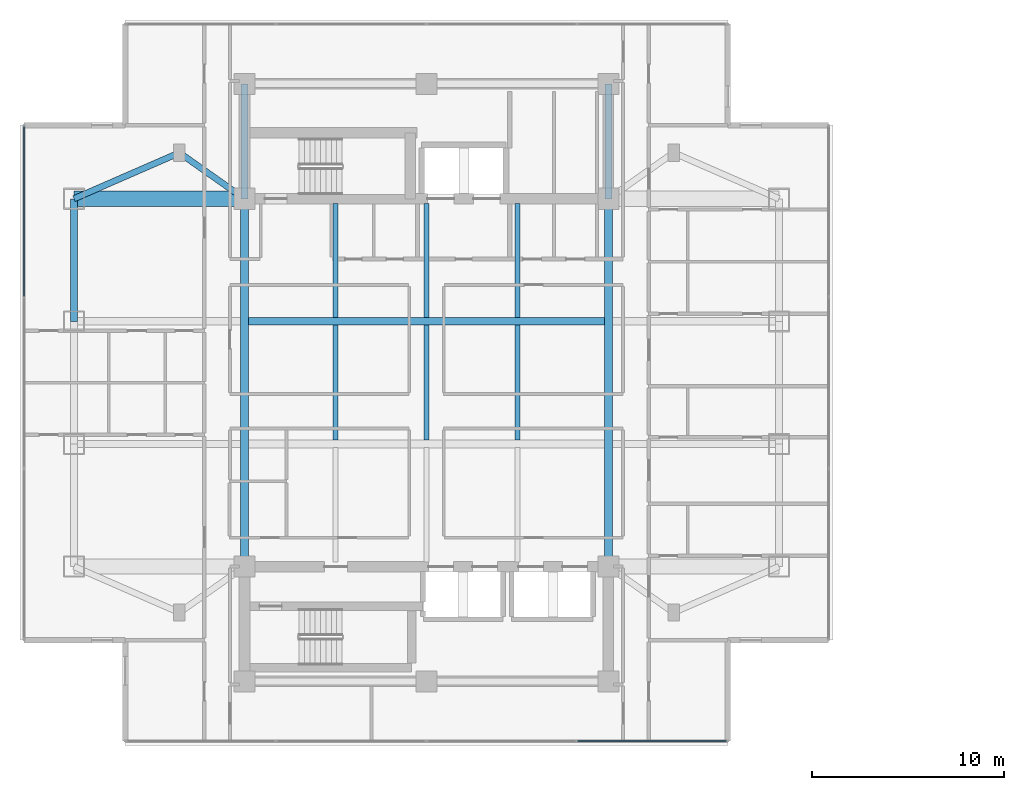
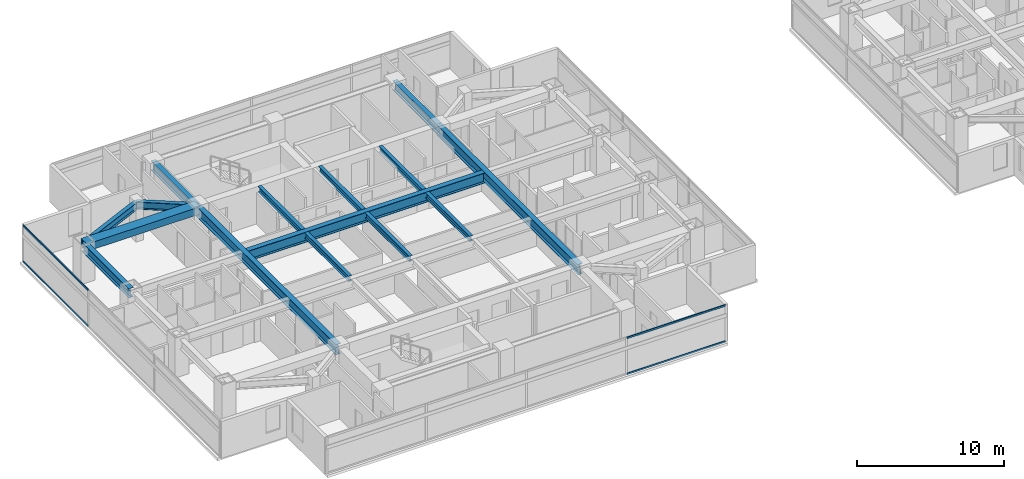
# One storey, part 3 of 25: 15 beams, 4 members, 2 elements without a shape of their own.
"""IFC4 building model written with IfcOpenShell, lengths in metres."""

import ifcopenshell
import ifcopenshell.guid

model = None  # the IFC model being written
_history = None  # IfcOwnerHistory: only IFC2X3 demands one
_inside = {}  # id of a spatial element -> (the spatial element, [elements in it])
_under = {}  # id of a project, library or spatial element -> (it, [spatial elements below it])
_declared = {}  # id of a project -> (the project, [libraries it declares])
_typed = {}  # id of a type object -> (the type object, [elements of that type])
_made_of = {}  # id of a material, layer set ... -> (it, [elements and type objects made of it])


def new_model(schema):
    """Start an empty IFC model of exactly this schema.

    Asked for "IFC4X3", IfcOpenShell would pick the latest addendum, in which some entities
    have other attributes; the version numbers below select the first issue.
    IFC2X3 requires an IfcOwnerHistory on every rooted entity: one is made here for all.
    """
    global model, _history
    if schema == "IFC4X3":
        model = ifcopenshell.file(schema_version=(4, 3, 0, 0))
    else:
        model = ifcopenshell.file(schema=schema)
    _inside.clear()
    _under.clear()
    _declared.clear()
    _typed.clear()
    _made_of.clear()
    _history = None
    if model.schema == "IFC2X3":
        org = make("IfcOrganization", Name="unknown")
        user = make(
            "IfcPersonAndOrganization",
            ThePerson=make("IfcPerson", FamilyName="unknown"),
            TheOrganization=org,
        )
        app = make(
            "IfcApplication",
            ApplicationDeveloper=org,
            Version="unknown",
            ApplicationFullName="unknown",
            ApplicationIdentifier="unknown",
        )
        _history = make(
            "IfcOwnerHistory",
            OwningUser=user,
            OwningApplication=app,
            ChangeAction="ADDED",
            CreationDate=0,
        )
    return model


def make(cls, **values):
    """One entity of the class cls with the attributes given. An attribute that is None is left unset."""
    return model.create_entity(
        cls, **{name: value for name, value in values.items() if value is not None}
    )


def rooted(cls, **values):
    """An entity with a GlobalId (a new one), such as an element, a storey or a relation."""
    return make(cls, GlobalId=ifcopenshell.guid.new(), OwnerHistory=_history, **values)


def si_unit(unit_type, name, prefix=None):
    """IfcSIUnit, for example si_unit("LENGTHUNIT", "METRE", prefix="MILLI")."""
    return make("IfcSIUnit", UnitType=unit_type, Prefix=prefix, Name=name)


def assignment(units):
    """IfcUnitAssignment: the units of a project."""
    return None if units is None else make("IfcUnitAssignment", Units=units)


def point(xyz):
    """IfcCartesianPoint."""
    return None if xyz is None else make("IfcCartesianPoint", Coordinates=xyz)


def direction(xyz):
    """IfcDirection."""
    return None if xyz is None else make("IfcDirection", DirectionRatios=xyz)


def frame(location, z_axis=None, x_axis=None):
    """IfcAxis2Placement3D, a coordinate frame: its origin and axes. An axis left out is left unset."""
    return make(
        "IfcAxis2Placement3D",
        Location=point(location),
        Axis=direction(z_axis),
        RefDirection=direction(x_axis),
    )


def frame_2d(location, x_axis=None):
    """IfcAxis2Placement2D, a coordinate frame in the plane: its origin and x axis."""
    return make(
        "IfcAxis2Placement2D", Location=point(location), RefDirection=direction(x_axis)
    )


def origin():
    """The frame at (0, 0, 0) with its axes left unset."""
    return frame((0.0, 0.0, 0.0))


def origin_2d():
    """The frame at (0, 0) in the plane with its x axis left unset."""
    return frame_2d((0.0, 0.0))


def place(relative_to, where):
    """IfcLocalPlacement: puts the frame where relative to a parent placement (None: the world)."""
    return make(
        "IfcLocalPlacement", PlacementRelTo=relative_to, RelativePlacement=where
    )


def context(
    kind, dimensions, precision=None, world=None, true_north=None, identifier=None
):
    """IfcGeometricRepresentationContext, for example the 3D "Model" context."""
    return make(
        "IfcGeometricRepresentationContext",
        ContextIdentifier=identifier,
        ContextType=kind,
        CoordinateSpaceDimension=dimensions,
        Precision=precision,
        WorldCoordinateSystem=world,
        TrueNorth=true_north,
    )


def subcontext(parent, identifier, kind, view, scale=None):
    """IfcGeometricRepresentationSubContext, for example "Body" below "Model"."""
    return make(
        "IfcGeometricRepresentationSubContext",
        ContextIdentifier=identifier,
        ContextType=kind,
        ParentContext=parent,
        TargetScale=scale,
        TargetView=view,
    )


def project(units=None, contexts=None):
    """IfcProject with its units and contexts."""
    return rooted(
        "IfcProject",
        Name="project",
        RepresentationContexts=contexts,
        UnitsInContext=assignment(units),
    )


def spatial(cls, under=None, at=None, **own):
    """A site, building, storey or space (cls), placed at a placement, below another one or the project."""
    s = rooted(cls, ObjectPlacement=at, **own)
    if under is not None:
        _under.setdefault(under.id(), (under, []))[1].append(s)
    return s


def profile(cls, at=None, kind="AREA", **sizes):
    """A parametric profile (cls). Its sizes go by their IFC names, for example OverallWidth=200.0."""
    return make(cls, ProfileType=kind, Position=at, **sizes)


def rectangle(**sizes):
    """IfcRectangleProfileDef."""
    return profile("IfcRectangleProfileDef", **sizes)


def i_section(**sizes):
    """IfcIShapeProfileDef."""
    return profile("IfcIShapeProfileDef", **sizes)


def extrude(swept, where, along, depth):
    """IfcExtrudedAreaSolid: the profile swept, set in the frame where, extruded along a direction by depth."""
    return make(
        "IfcExtrudedAreaSolid",
        SweptArea=swept,
        Position=where,
        ExtrudedDirection=direction(along),
        Depth=depth,
    )


def shape(context_of_items, identifier, shape_type, items):
    """IfcShapeRepresentation: the items that make up one representation, for example the "Body"."""
    return make(
        "IfcShapeRepresentation",
        ContextOfItems=context_of_items,
        RepresentationIdentifier=identifier,
        RepresentationType=shape_type,
        Items=items,
    )


def material(Name=None, Category=None):
    """IfcMaterial."""
    return make("IfcMaterial", Name=Name, Category=Category)


def material_profile(
    of_material, cross_section, Name=None, Category=None, Priority=None
):
    """IfcMaterialProfile: a cross section and its material."""
    return make(
        "IfcMaterialProfile",
        Name=Name,
        Material=of_material,
        Profile=cross_section,
        Priority=Priority,
        Category=Category,
    )


def profile_set(profiles, Name=None, composite=None):
    """IfcMaterialProfileSet."""
    return make(
        "IfcMaterialProfileSet",
        Name=Name,
        MaterialProfiles=profiles,
        CompositeProfile=composite,
    )


def made_of(thing, what):
    """Note that an element or type object is made of a material, layer set ...; save() writes the relation."""
    if what is not None:
        _made_of.setdefault(what.id(), (what, []))[1].append(thing)
    return thing


def type_object(cls, material=None, **own):
    """A type object (cls), such as IfcWallType, which elements share."""
    return made_of(rooted(cls, **own), material)


def element(
    cls,
    number,
    at=None,
    inside=None,
    cuts=None,
    type_object=None,
    material=None,
    context=None,
    identifier="Body",
    shape_type=None,
    held_by="IfcProductDefinitionShape",
    body=None,
    shapes=None,
    **own,
):
    """One element of the class cls, such as IfcWall. Its Tag is "e" and its number.

    at: its placement. inside: the storey or other place that contains it. cuts: it is an
    opening in that element (IfcRelVoidsElement). A single representation is given by context,
    identifier, shape_type and body (its items); several are given by shapes. held_by: the class
    of the entity that holds the representations. save() writes the other relations.
    """
    e = rooted(cls, Tag="e%d" % number, ObjectPlacement=at, **own)
    if body is not None:
        shapes = [shape(context, identifier, shape_type, body)]
    if shapes is not None:
        e.Representation = make(held_by, Representations=shapes)
    if inside is not None:
        _inside.setdefault(inside.id(), (inside, []))[1].append(e)
    if cuts is not None:
        rooted(
            "IfcRelVoidsElement", RelatingBuildingElement=cuts, RelatedOpeningElement=e
        )
    if type_object is not None:
        _typed.setdefault(type_object.id(), (type_object, []))[1].append(e)
    return made_of(e, material)


def aggregate(whole, parts):
    """IfcRelAggregates: a whole, such as a stair, and the parts it consists of."""
    return rooted("IfcRelAggregates", RelatingObject=whole, RelatedObjects=parts)


def save(model, path):
    """Write the relations noted so far, then the file.

    IfcRelAggregates (storeys below a building ...), IfcRelContainedInSpatialStructure (elements
    in a storey), IfcRelDefinesByType, IfcRelAssociatesMaterial and IfcRelDeclares: one each for
    every whole, place, type object, material and project.
    """
    for whole, parts in _under.values():
        aggregate(whole, parts)
    for where, things in _inside.values():
        rooted(
            "IfcRelContainedInSpatialStructure",
            RelatedElements=things,
            RelatingStructure=where,
        )
    for kind, things in _typed.values():
        rooted("IfcRelDefinesByType", RelatedObjects=things, RelatingType=kind)
    for what, things in _made_of.values():
        rooted("IfcRelAssociatesMaterial", RelatedObjects=things, RelatingMaterial=what)
    for by, libraries in _declared.values():
        rooted("IfcRelDeclares", RelatingContext=by, RelatedDefinitions=libraries)
    model.write(path)


model = new_model("IFC4")

# Units and contexts
model_context = context("Model", 3, precision=1e-05, world=origin(), true_north=direction((0.0, 1.0)))
body_context = subcontext(model_context, "Body", "Model", "MODEL_VIEW")
ifc_project = project(units=[si_unit("LENGTHUNIT", "METRE"), si_unit("AREAUNIT", "SQUARE_METRE"), si_unit("VOLUMEUNIT", "CUBIC_METRE"), si_unit("PLANEANGLEUNIT", "RADIAN"), si_unit("MASSUNIT", "GRAM", prefix="KILO")], contexts=[model_context])

# Site, building, storey
site_placement = place(None, origin())
site = spatial("IfcSite", under=ifc_project, at=site_placement, CompositionType="ELEMENT")
building_placement = place(site_placement, origin())
building = spatial("IfcBuilding", under=site, at=building_placement, Name="Mirazonda Arch Towers", CompositionType="ELEMENT")
storey_placement = place(building_placement, frame((0.0, 0.0, 131.300048828125)))
storey = spatial("IfcBuildingStorey", under=building, at=storey_placement, Name="L37", CompositionType="ELEMENT", Elevation=131.300048828125)

# Beams
ifc_material_1 = material(Name="Steel ASTM A992 Grade 50", Category="steel")
ifc_material_profile_1 = material_profile(ifc_material_1, i_section(OverallWidth=0.381103515625, OverallDepth=0.77294921875, WebThickness=0.0166015625, FlangeThickness=0.027099609375, at=origin_2d()), Name="W30X173")
ifc_profile_set_1 = profile_set([ifc_material_profile_1], Name="Steel ASTM A992 Grade 50")
beam_type_1 = type_object("IfcBeamType", Name="BM-EXT-W30X173", PredefinedType="USERDEFINED", material=ifc_profile_set_1)
beam_1_placement = place(storey_placement, frame((2.10009765625, 31.199951171875, 2.693359375), z_axis=(0.0, 1.0, 0.0), x_axis=(-1.0, 0.0, 0.0)))
element("IfcBeam", 1, at=beam_1_placement, inside=storey, type_object=beam_type_1, Name="L37 Floor Beam BM-T1-L37-NS-W-31", ObjectType="GIRDER", PredefinedType="USERDEFINED", context=body_context, shape_type="SweptSolid", body=[
    extrude(i_section(OverallWidth=0.381103515625, OverallDepth=0.77294921875, WebThickness=0.0166015625, FlangeThickness=0.027099609375, at=origin_2d()), origin(), (0.0, 0.0, 1.0), 6.400146484375),
])
ifc_material_profile_2 = material_profile(ifc_material_1, i_section(OverallWidth=0.280029296875, OverallDepth=0.462890625, WebThickness=0.0107421875, FlangeThickness=0.017333984375, at=origin_2d()), Name="W18X76")
ifc_profile_set_2 = profile_set([ifc_material_profile_2], Name="Steel ASTM A992 Grade 50")
beam_type_2 = type_object("IfcBeamType", Name="BM-INT-W18X76", PredefinedType="JOIST", material=ifc_profile_set_2)
beam_2_placement = place(storey_placement, frame((15.75, 31.39599609375, 2.848388671875), z_axis=(0.0, 1.0, 0.0), x_axis=(-1.0, 0.0, 0.0)))
element("IfcBeam", 2, at=beam_2_placement, inside=storey, type_object=beam_type_2, Name="L37 Floor Beam BM-T1-L37-J-157-31", PredefinedType="JOIST", context=body_context, shape_type="SweptSolid", body=[
    extrude(i_section(OverallWidth=0.280029296875, OverallDepth=0.462890625, WebThickness=0.0107421875, FlangeThickness=0.017333984375, at=origin_2d()), origin(), (0.0, 0.0, 1.0), 5.964111328125),
])
beam_3_placement = place(storey_placement, frame((15.75, 24.99609375, 2.848388671875), z_axis=(0.0, 1.0, 0.0), x_axis=(-1.0, 0.0, 0.0)))
element("IfcBeam", 3, at=beam_3_placement, inside=storey, type_object=beam_type_2, Name="L37 Floor Beam BM-T1-L37-J-157-24", PredefinedType="JOIST", context=body_context, shape_type="SweptSolid", body=[
    extrude(i_section(OverallWidth=0.280029296875, OverallDepth=0.462890625, WebThickness=0.0107421875, FlangeThickness=0.017333984375, at=origin_2d()), origin(), (0.0, 0.0, 1.0), 6.0078125),
])
beam_4_placement = place(storey_placement, frame((20.5, 31.39599609375, 2.848388671875), z_axis=(0.0, 1.0, 0.0), x_axis=(-1.0, 0.0, 0.0)))
element("IfcBeam", 4, at=beam_4_placement, inside=storey, type_object=beam_type_2, Name="L37 Floor Beam BM-T1-L37-J-205-31", PredefinedType="JOIST", context=body_context, shape_type="SweptSolid", body=[
    extrude(i_section(OverallWidth=0.280029296875, OverallDepth=0.462890625, WebThickness=0.0107421875, FlangeThickness=0.017333984375, at=origin_2d()), origin(), (0.0, 0.0, 1.0), 5.964111328125),
])
beam_5_placement = place(storey_placement, frame((20.5, 24.99609375, 2.848388671875), z_axis=(0.0, 1.0, 0.0), x_axis=(-1.0, 0.0, 0.0)))
element("IfcBeam", 5, at=beam_5_placement, inside=storey, type_object=beam_type_2, Name="L37 Floor Beam BM-T1-L37-J-205-24", PredefinedType="JOIST", context=body_context, shape_type="SweptSolid", body=[
    extrude(i_section(OverallWidth=0.280029296875, OverallDepth=0.462890625, WebThickness=0.0107421875, FlangeThickness=0.017333984375, at=origin_2d()), origin(), (0.0, 0.0, 1.0), 6.0078125),
])
beam_6_placement = place(storey_placement, frame((25.25, 31.39599609375, 2.848388671875), z_axis=(0.0, 1.0, 0.0), x_axis=(-1.0, 0.0, 0.0)))
element("IfcBeam", 6, at=beam_6_placement, inside=storey, type_object=beam_type_2, Name="L37 Floor Beam BM-T1-L37-J-252-31", PredefinedType="JOIST", context=body_context, shape_type="SweptSolid", body=[
    extrude(i_section(OverallWidth=0.280029296875, OverallDepth=0.462890625, WebThickness=0.0107421875, FlangeThickness=0.017333984375, at=origin_2d()), origin(), (0.0, 0.0, 1.0), 5.964111328125),
])
beam_7_placement = place(storey_placement, frame((25.25, 24.99609375, 2.848388671875), z_axis=(0.0, 1.0, 0.0), x_axis=(-1.0, 0.0, 0.0)))
element("IfcBeam", 7, at=beam_7_placement, inside=storey, type_object=beam_type_2, Name="L37 Floor Beam BM-T1-L37-J-252-24", PredefinedType="JOIST", context=body_context, shape_type="SweptSolid", body=[
    extrude(i_section(OverallWidth=0.280029296875, OverallDepth=0.462890625, WebThickness=0.0107421875, FlangeThickness=0.017333984375, at=origin_2d()), origin(), (0.0, 0.0, 1.0), 6.0078125),
])
ifc_material_profile_3 = material_profile(ifc_material_1, i_section(OverallWidth=0.324951171875, OverallDepth=0.615966796875, WebThickness=0.013916015625, FlangeThickness=0.021484375, at=origin_2d()), Name="W24X117")
ifc_profile_set_3 = profile_set([ifc_material_profile_3], Name="Steel ASTM A992 Grade 50")
beam_type_3 = type_object("IfcBeamType", Name="BM-INT-W24X117", PredefinedType="BEAM", material=ifc_profile_set_3)
beam_8_placement = place(storey_placement, frame((7.60009765625, 40.0, 2.77197265625), z_axis=(0.816971114901, -0.576678591087, 0.0), x_axis=(0.576678591087, 0.816971114901, 0.0)))
element("IfcBeam", 8, at=beam_8_placement, inside=storey, type_object=beam_type_3, Name="L37 Floor Beam BM-T1-L37-PL-NW1", PredefinedType="BEAM", context=body_context, shape_type="SweptSolid", body=[
    extrude(i_section(OverallWidth=0.324951171875, OverallDepth=0.615966796875, WebThickness=0.013916015625, FlangeThickness=0.021484375, at=origin_2d()), origin(), (0.0, 0.0, 1.0), 4.16162109375),
])
beam_9_placement = place(storey_placement, frame((7.60009765625, 40.0, 2.77197265625), z_axis=(-0.916545343703, -0.399930785183, 0.0), x_axis=(0.399930785183, -0.916545343703, 0.0)))
element("IfcBeam", 9, at=beam_9_placement, inside=storey, type_object=beam_type_3, Name="L37 Floor Beam BM-T1-L37-PL-NW2", PredefinedType="BEAM", context=body_context, shape_type="SweptSolid", body=[
    extrude(i_section(OverallWidth=0.324951171875, OverallDepth=0.615966796875, WebThickness=0.013916015625, FlangeThickness=0.021484375, at=origin_2d()), origin(), (0.0, 0.0, 1.0), 6.000732421875),
])
ifc_material_profile_4 = material_profile(ifc_material_1, i_section(OverallWidth=0.381103515625, OverallDepth=0.77294921875, WebThickness=0.0166015625, FlangeThickness=0.027099609375, at=origin_2d()), Name="W30X173")
ifc_profile_set_4 = profile_set([ifc_material_profile_4], Name="Steel ASTM A992 Grade 50")
beam_type_4 = type_object("IfcBeamType", Name="BM-INT-W30X173", PredefinedType="USERDEFINED", material=ifc_profile_set_4)
for number, where, z_axis, x_axis, name in (
    (10, (11.0, 37.60009765625, 2.693359375), (0.0, 1.0, 0.0), (-1.0, 0.0, 0.0), "L37 Floor Beam BM-T1-L37-CNW"),
    (11, (30.0, 37.60009765625, 2.693359375), (0.0, 1.0, 0.0), (-1.0, 0.0, 0.0), "L37 Floor Beam BM-T1-L37-CNE"),
):
    element("IfcBeam", number, at=place(storey_placement, frame(where, z_axis=z_axis, x_axis=x_axis)), inside=storey, type_object=beam_type_4, Name=name, ObjectType="GIRDER", PredefinedType="USERDEFINED", context=body_context, shape_type="SweptSolid", body=[
        extrude(i_section(OverallWidth=0.381103515625, OverallDepth=0.77294921875, WebThickness=0.0166015625, FlangeThickness=0.027099609375, at=origin_2d()), origin(), (0.0, 0.0, 1.0), 6.0),
    ])
ifc_material_profile_5 = material_profile(ifc_material_1, i_section(OverallWidth=0.39990234375, OverallDepth=0.85595703125, WebThickness=0.018310546875, FlangeThickness=0.029296875, at=origin_2d()), Name="W33X201")
ifc_profile_set_5 = profile_set([ifc_material_profile_5], Name="Steel ASTM A992 Grade 50")
beam_type_5 = type_object("IfcBeamType", Name="BM-INT-W33X201", PredefinedType="USERDEFINED", material=ifc_profile_set_5)
beam_10_placement = place(storey_placement, frame((11.199951171875, 31.199951171875, 2.65185546875), z_axis=(1.0, 0.0, 0.0), x_axis=(0.0, 1.0, 0.0)))
element("IfcBeam", 12, at=beam_10_placement, inside=storey, type_object=beam_type_5, Name="L37 Floor Beam BM-T1-L37-GC3", ObjectType="GIRDER", PredefinedType="USERDEFINED", context=body_context, shape_type="SweptSolid", body=[
    extrude(i_section(OverallWidth=0.39990234375, OverallDepth=0.85595703125, WebThickness=0.018310546875, FlangeThickness=0.029296875, at=origin_2d()), origin(), (0.0, 0.0, 1.0), 18.60009765625),
])
for number, where, z_axis, x_axis, name in (
    (13, (11.0, 18.39990234375, 2.65185546875), (0.0, 1.0, 0.0), (-1.0, 0.0, 0.0), "L37 Floor Beam BM-T1-L37-NS-CW-FULL"),
    (14, (30.0, 18.39990234375, 2.65185546875), (0.0, 1.0, 0.0), (-1.0, 0.0, 0.0), "L37 Floor Beam BM-T1-L37-NS-CE-FULL"),
):
    element("IfcBeam", number, at=place(storey_placement, frame(where, z_axis=z_axis, x_axis=x_axis)), inside=storey, type_object=beam_type_5, Name=name, ObjectType="GIRDER", PredefinedType="USERDEFINED", context=body_context, shape_type="SweptSolid", body=[
        extrude(i_section(OverallWidth=0.39990234375, OverallDepth=0.85595703125, WebThickness=0.018310546875, FlangeThickness=0.029296875, at=origin_2d()), origin(), (0.0, 0.0, 1.0), 19.2001953125),
    ])
ifc_material_2 = material(Name="Concrete C60/75", Category="concrete")
ifc_material_profile_6 = material_profile(ifc_material_2, rectangle(XDim=0.800048828125, YDim=0.60009765625, at=origin_2d()), Name="RCCB800x600")
ifc_profile_set_6 = profile_set([ifc_material_profile_6], Name="Concrete C60/75")
beam_type_6 = type_object("IfcBeamType", Name="CB-INT-RCCB800x600", PredefinedType="SPANDREL", material=ifc_profile_set_6)
beam_11_placement = place(storey_placement, frame((2.10009765625, 37.60009765625, 2.780029296875), z_axis=(1.0, 0.0, 0.0), x_axis=(0.0, 1.0, 0.0)))
element("IfcBeam", 15, at=beam_11_placement, inside=storey, type_object=beam_type_6, Name="L37 Floor Beam CBC-T1-L37-NW", PredefinedType="SPANDREL", context=body_context, shape_type="SweptSolid", body=[
    extrude(rectangle(XDim=0.800048828125, YDim=0.60009765625, at=origin_2d()), origin(), (0.0, 0.0, 1.0), 8.89990234375),
])

# Curtain wall, members
ifc_material_3 = material(Name="Anodised Aluminium and Low-E Glass", Category="aluminium")
curtain_wall_type = type_object("IfcCurtainWallType", Name="CW-HTL-UNIT", PredefinedType="NOTDEFINED", material=ifc_material_3)
curtain_wall_1_placement = place(storey_placement, origin())
curtain_wall_1 = element("IfcCurtainWall", 16, at=curtain_wall_1_placement, inside=storey, type_object=curtain_wall_type, Name="L37 T1 S Facade CW-L37-T1-S", PredefinedType="NOTDEFINED")
ifc_material_4 = material(Name="Anodised Aluminium Alloy", Category="aluminium")
ifc_material_profile_7 = material_profile(ifc_material_4, rectangle(XDim=0.074951171875, YDim=0.14501953125, at=origin_2d()), Name="ALU-TRAN-75x145")
ifc_profile_set_7 = profile_set([ifc_material_profile_7], Name="Anodised Aluminium Alloy")
member_type = type_object("IfcMemberType", Name="TRAN-CW-HTL-UNIT", PredefinedType="USERDEFINED", material=ifc_profile_set_7)
member_1_placement = place(storey_placement, frame((36.155029296875, 9.2880859375, 0.037353515625), z_axis=(-1.0, 0.0, 0.0), x_axis=(0.0, -1.0, 0.0)))
member_1 = element("IfcMember", 17, at=member_1_placement, type_object=member_type, Name="CW-112 transom 1.1", ObjectType="TRANSOM", PredefinedType="USERDEFINED", context=body_context, shape_type="SweptSolid", body=[
    extrude(rectangle(XDim=0.074951171875, YDim=0.14501953125, at=origin_2d()), origin(), (0.0, 0.0, 1.0), 7.75244140625),
])
member_2_placement = place(storey_placement, frame((36.155029296875, 9.2880859375, 3.0224609375), z_axis=(-1.0, 0.0, 0.0), x_axis=(0.0, -1.0, 0.0)))
member_2 = element("IfcMember", 18, at=member_2_placement, type_object=member_type, Name="CW-112 transom 1.2", ObjectType="TRANSOM", PredefinedType="USERDEFINED", context=body_context, shape_type="SweptSolid", body=[
    extrude(rectangle(XDim=0.074951171875, YDim=0.14501953125, at=origin_2d()), origin(), (0.0, 0.0, 1.0), 7.75244140625),
])
aggregate(curtain_wall_1, [member_1, member_2])

curtain_wall_2_placement = place(storey_placement, origin())
curtain_wall_2 = element("IfcCurtainWall", 19, at=curtain_wall_2_placement, inside=storey, type_object=curtain_wall_type, Name="L37 T1 W Facade CW-L37-T1-W", PredefinedType="NOTDEFINED")
member_3_placement = place(storey_placement, frame((-0.5, 41.366943359375, 0.037353515625), z_axis=(0.0, -1.0, 0.0), x_axis=(1.0, 0.0, 0.0)))
member_3 = element("IfcMember", 20, at=member_3_placement, type_object=member_type, Name="CW-112 transom 1.1", ObjectType="TRANSOM", PredefinedType="USERDEFINED", context=body_context, shape_type="SweptSolid", body=[
    extrude(rectangle(XDim=0.074951171875, YDim=0.14501953125, at=origin_2d()), origin(), (0.0, 0.0, 1.0), 8.848876953125),
])
member_4_placement = place(storey_placement, frame((-0.5, 41.366943359375, 3.0224609375), z_axis=(0.0, -1.0, 0.0), x_axis=(1.0, 0.0, 0.0)))
member_4 = element("IfcMember", 21, at=member_4_placement, type_object=member_type, Name="CW-112 transom 1.2", ObjectType="TRANSOM", PredefinedType="USERDEFINED", context=body_context, shape_type="SweptSolid", body=[
    extrude(rectangle(XDim=0.074951171875, YDim=0.14501953125, at=origin_2d()), origin(), (0.0, 0.0, 1.0), 8.848876953125),
])
aggregate(curtain_wall_2, [member_3, member_4])

save(model, "model.ifc")
